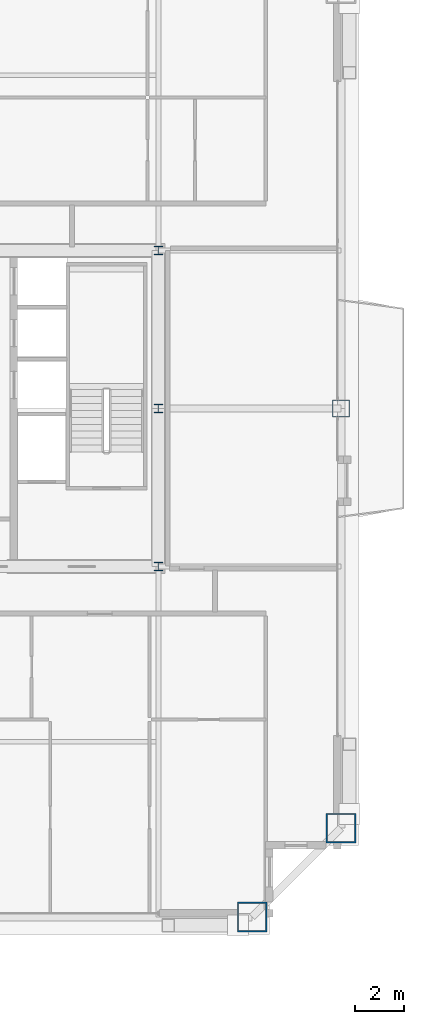
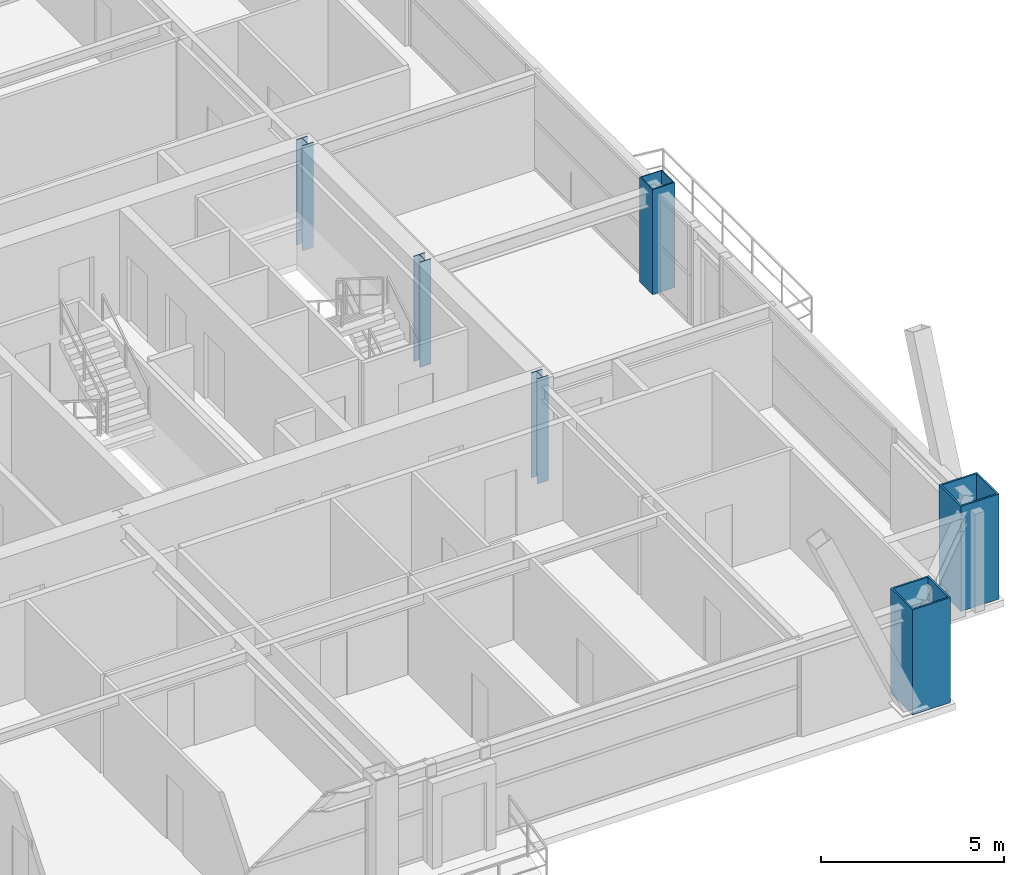
# One storey, part 2 of 37: 6 columns.
"""IFC4 building model written with IfcOpenShell, lengths in metres."""

from ifc_helpers import new_model, si_unit, direction, frame, origin, origin_2d, place, context, subcontext, project, spatial, hollow_rectangle, i_section, extrude, source, transform, mapped, material, material_profile, profile_set, type_object, element, save


model = new_model("IFC4")

# Units and contexts
model_context = context("Model", 3, precision=1e-05, world=origin(), true_north=direction((0.0, 1.0)))
body_context = subcontext(model_context, "Body", "Model", "MODEL_VIEW")
ifc_project = project(units=[si_unit("LENGTHUNIT", "METRE"), si_unit("AREAUNIT", "SQUARE_METRE"), si_unit("VOLUMEUNIT", "CUBIC_METRE"), si_unit("PLANEANGLEUNIT", "RADIAN"), si_unit("MASSUNIT", "GRAM", prefix="KILO"), si_unit("THERMODYNAMICTEMPERATUREUNIT", "KELVIN"), si_unit("POWERUNIT", "WATT")], contexts=[model_context])

# Site, building, storey
site_placement = place(None, origin())
site = spatial("IfcSite", under=ifc_project, at=site_placement, CompositionType="ELEMENT")
building_placement = place(site_placement, origin())
building = spatial("IfcBuilding", under=site, at=building_placement, Name="Yuzanri Waterfront Tower", CompositionType="ELEMENT")
storey_placement = place(building_placement, frame((0.0, 0.0, 278.60009765625)))
storey = spatial("IfcBuildingStorey", under=building, at=storey_placement, Name="L74", CompositionType="ELEMENT", Elevation=278.60009765625)

# Columns
ifc_material_1 = material(Name="Steel Q390GJC", Category="steel")
ifc_material_profile_1 = material_profile(ifc_material_1, hollow_rectangle(XDim=1.199951171875, YDim=1.199951171875, WallThickness=0.054931640625, at=origin_2d()), Name="RHS 1200x1200x55")
ifc_profile_set_1 = profile_set([ifc_material_profile_1], Name="Steel Q390GJC")
column_type_1 = type_object("IfcColumnType", Name="Mega Column Q390GJC RHS 1200x1200x55", PredefinedType="COLUMN", material=ifc_profile_set_1)
shared_shape_1 = source(origin(), body_context, "Body", "SweptSolid", [
    extrude(hollow_rectangle(XDim=1.199951171875, YDim=1.199951171875, WallThickness=0.054931640625, at=origin_2d()), origin(), (0.0, 0.0, 1.0), 3.5),
])
for number, where, z_axis, x_axis, name in (
    (1, (54.0, 5.199951171875, 0.0), (0.0, 0.0, 1.0), (1.0, 0.0, 0.0), "L74 Perimeter Mega Column S3"),
    (2, (57.60009765625, 8.800048828125, 0.0), (0.0, 0.0, 1.0), (1.0, 0.0, 0.0), "L74 Perimeter Mega Column E1"),
):
    element("IfcColumn", number, at=place(storey_placement, frame(where, z_axis=z_axis, x_axis=x_axis)), inside=storey, type_object=column_type_1, Name=name, PredefinedType="COLUMN", context=body_context, shape_type="MappedRepresentation", body=[
        mapped(shared_shape_1, transform((0.0, 0.0, 0.0), scale=1.0)),
    ])
ifc_material_2 = material(Name="Steel Q355B", Category="steel")
ifc_material_profile_2 = material_profile(ifc_material_2, hollow_rectangle(XDim=0.699951171875, YDim=0.699951171875, WallThickness=0.031982421875, at=origin_2d()), Name="RHS 700x700x32")
ifc_profile_set_2 = profile_set([ifc_material_profile_2], Name="Steel Q355B")
column_type_2 = type_object("IfcColumnType", Name="Frame Column Q355B RHS 700x700x32", PredefinedType="COLUMN", material=ifc_profile_set_2)
shared_shape_2 = source(origin(), body_context, "Body", "SweptSolid", [
    extrude(hollow_rectangle(XDim=0.699951171875, YDim=0.699951171875, WallThickness=0.031982421875, at=origin_2d()), origin(), (0.0, 0.0, 1.0), 3.5),
])
column_placement = place(storey_placement, frame((57.60009765625, 25.800048828125, 0.0), z_axis=(0.0, 0.0, 1.0), x_axis=(1.0, 0.0, 0.0)))
element("IfcColumn", 3, at=column_placement, inside=storey, type_object=column_type_2, Name="L74 Perimeter Frame Column E2", PredefinedType="COLUMN", context=body_context, shape_type="MappedRepresentation", body=[
    mapped(shared_shape_2, transform((0.0, 0.0, 0.0), scale=1.0)),
])
ifc_material_3 = material(Name="Steel Q355B", Category="steel")
ifc_material_profile_3 = material_profile(ifc_material_3, i_section(OverallWidth=0.35009765625, OverallDepth=0.35009765625, WebThickness=0.011962890625, FlangeThickness=0.01904296875, at=origin_2d()), Name="HW 350x350x12x19")
ifc_profile_set_3 = profile_set([ifc_material_profile_3], Name="Steel Q355B")
column_type_3 = type_object("IfcColumnType", Name="Core Post Q355B HW 350x350x12x19", PredefinedType="COLUMN", material=ifc_profile_set_3)
shared_shape_3 = source(origin(), body_context, "Body", "SweptSolid", [
    extrude(i_section(OverallWidth=0.35009765625, OverallDepth=0.35009765625, WebThickness=0.011962890625, FlangeThickness=0.01904296875, at=origin_2d()), origin(), (0.0, 0.0, 1.0), 3.5),
])
for number, where, z_axis, x_axis, name in (
    (4, (50.199951171875, 19.39990234375, 0.0), (0.0, 0.0, 1.0), (1.0, 0.0, 0.0), "L74 Core Boundary Column CP3"),
    (5, (50.199951171875, 25.800048828125, 0.0), (0.0, 0.0, 1.0), (1.0, 0.0, 0.0), "L74 Core Boundary Column CP5"),
    (6, (50.199951171875, 32.199951171875, 0.0), (0.0, 0.0, 1.0), (1.0, 0.0, 0.0), "L74 Core Boundary Column CP8"),
):
    element("IfcColumn", number, at=place(storey_placement, frame(where, z_axis=z_axis, x_axis=x_axis)), inside=storey, type_object=column_type_3, Name=name, PredefinedType="COLUMN", context=body_context, shape_type="MappedRepresentation", body=[
        mapped(shared_shape_3, transform((0.0, 0.0, 0.0), scale=1.0)),
    ])

save(model, "model.ifc")
